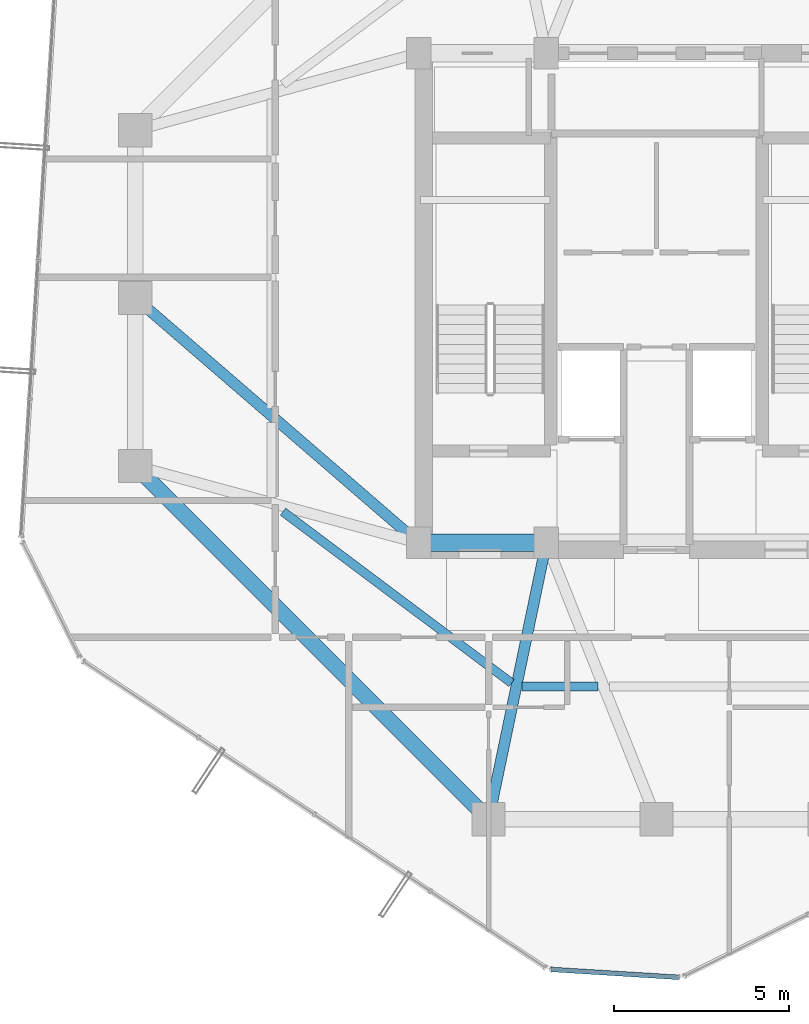
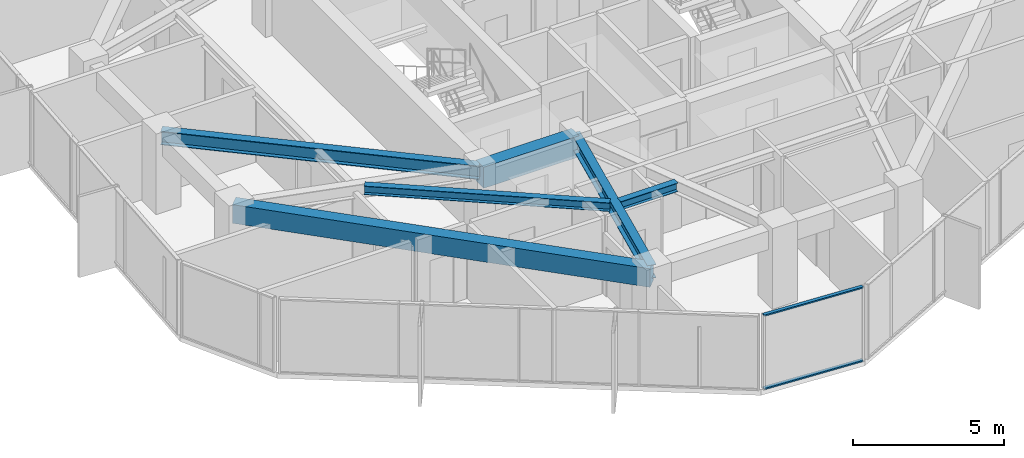
# One storey, part 5 of 29: 6 beams, 2 members, 1 element without a shape of its own.
"""IFC4 building model written with IfcOpenShell, lengths in metres."""

from ifc_helpers import new_model, si_unit, direction, frame, origin, origin_2d, place, context, subcontext, project, spatial, rectangle, hollow_rectangle, i_section, extrude, source, transform, mapped, material, layer, layer_set, material_profile, profile_set, type_object, element, aggregate, save


model = new_model("IFC4")

# Units and contexts
model_context = context("Model", 3, precision=1e-05, world=origin(), true_north=direction((0.0, 1.0)))
body_context = subcontext(model_context, "Body", "Model", "MODEL_VIEW")
ifc_project = project(units=[si_unit("LENGTHUNIT", "METRE"), si_unit("AREAUNIT", "SQUARE_METRE"), si_unit("VOLUMEUNIT", "CUBIC_METRE"), si_unit("PLANEANGLEUNIT", "RADIAN"), si_unit("MASSUNIT", "GRAM", prefix="KILO")], contexts=[model_context])

# Site, building, storey
site_placement = place(None, origin())
site = spatial("IfcSite", under=ifc_project, at=site_placement, CompositionType="ELEMENT")
building_placement = place(site_placement, origin())
building = spatial("IfcBuilding", under=site, at=building_placement, Name="Veraguas Prism Commons", CompositionType="ELEMENT")
storey_placement = place(building_placement, frame((0.0, 0.0, 218.89990234375)))
storey = spatial("IfcBuildingStorey", under=building, at=storey_placement, Name="L62", CompositionType="ELEMENT", Elevation=218.89990234375)

# Beams
ifc_material_1 = material(Name="Concrete C50/60", Category="concrete")
ifc_material_profile_1 = material_profile(ifc_material_1, rectangle(XDim=0.5, YDim=0.85009765625, at=origin_2d()), Name="RC500X850")
ifc_profile_set_1 = profile_set([ifc_material_profile_1], Name="Concrete C50/60")
beam_type_1 = type_object("IfcBeamType", Name="Core Coupling Beam RC 500x850", PredefinedType="BEAM", material=ifc_profile_set_1)
beam_1_placement = place(storey_placement, frame((17.199951171875, 17.0, 2.590087890625), z_axis=(1.0, 0.0, 0.0), x_axis=(0.0, 1.0, 0.0)))
element("IfcBeam", 1, at=beam_1_placement, inside=storey, type_object=beam_type_1, Name="Core Coupling Beam L62-CRS1", PredefinedType="BEAM", context=body_context, shape_type="SweptSolid", body=[
    extrude(rectangle(XDim=0.5, YDim=0.85009765625, at=origin_2d()), origin(), (0.0, 0.0, 1.0), 3.650146484375),
])
ifc_material_profile_2 = material_profile(ifc_material_1, rectangle(XDim=0.449951171875, YDim=0.75, at=origin_2d()), Name="RC450X750")
ifc_profile_set_2 = profile_set([ifc_material_profile_2], Name="Concrete C50/60")
beam_type_2 = type_object("IfcBeamType", Name="Perimeter Spandrel Upper RC 450x750", PredefinedType="SPANDREL", material=ifc_profile_set_2)
beam_2_placement = place(storey_placement, frame((9.10009765625, 19.199951171875, 2.64013671875), z_axis=(0.707106781187, -0.707106781187, 0.0), x_axis=(0.707106781187, 0.707106781187, 0.0)))
element("IfcBeam", 2, at=beam_2_placement, inside=storey, type_object=beam_type_2, Name="Perimeter Spandrel Beam L62-SP09", PredefinedType="SPANDREL", context=body_context, shape_type="SweptSolid", body=[
    extrude(rectangle(XDim=0.449951171875, YDim=0.75, at=origin_2d()), origin(), (0.0, 0.0, 1.0), 14.283447265625),
])
ifc_material_2 = material(Name="Steel ASTM A992 Grade 50", Category="steel")
ifc_material_profile_3 = material_profile(ifc_material_2, i_section(OverallWidth=0.25390625, OverallDepth=0.35302734375, WebThickness=0.009521484375, FlangeThickness=0.016357421875, at=origin_2d()), Name="W360X91")
ifc_profile_set_3 = profile_set([ifc_material_profile_3], Name="Steel ASTM A992 Grade 50")
beam_type_3 = type_object("IfcBeamType", Name="Upper Floor Joist W360x91", PredefinedType="JOIST", material=ifc_profile_set_3)
beam_3_placement = place(storey_placement, frame((13.320556640625, 17.89453125, 2.838623046875), z_axis=(0.800060962004, -0.599918708724, 0.0), x_axis=(0.599918708724, 0.800060962004, 0.0)))
element("IfcBeam", 3, at=beam_3_placement, inside=storey, type_object=beam_type_3, Name="Composite Floor Joist L62-JS09", PredefinedType="JOIST", context=body_context, shape_type="SweptSolid", body=[
    extrude(i_section(OverallWidth=0.25390625, OverallDepth=0.35302734375, WebThickness=0.009521484375, FlangeThickness=0.016357421875, at=origin_2d()), origin(), (0.0, 0.0, 1.0), 8.169189453125),
])
beam_4_placement = place(storey_placement, frame((20.148681640625, 12.89208984375, 2.838623046875), z_axis=(1.0, 0.0, 0.0), x_axis=(0.0, 1.0, 0.0)))
element("IfcBeam", 4, at=beam_4_placement, inside=storey, type_object=beam_type_3, Name="Composite Floor Joist L62-JS10", PredefinedType="JOIST", context=body_context, shape_type="SweptSolid", body=[
    extrude(i_section(OverallWidth=0.25390625, OverallDepth=0.35302734375, WebThickness=0.009521484375, FlangeThickness=0.016357421875, at=origin_2d()), origin(), (0.0, 0.0, 1.0), 2.174072265625),
])
ifc_material_profile_4 = material_profile(ifc_material_2, i_section(OverallWidth=0.31103515625, OverallDepth=0.5458984375, WebThickness=0.0146484375, FlangeThickness=0.023681640625, at=origin_2d()), Name="W530X165")
ifc_profile_set_4 = profile_set([ifc_material_profile_4], Name="Steel ASTM A992 Grade 50")
beam_type_4 = type_object("IfcBeamType", Name="Zone 3 Radial Girder W530x165", PredefinedType="BEAM", material=ifc_profile_set_4)
beam_5_placement = place(storey_placement, frame((9.10009765625, 24.0, 2.7421875), z_axis=(0.756607086554, -0.653869800936, 0.0), x_axis=(0.653869800936, 0.756607086554, 0.0)))
element("IfcBeam", 5, at=beam_5_placement, inside=storey, type_object=beam_type_4, Name="Radial Floor Girder L62-RD08", PredefinedType="BEAM", context=body_context, shape_type="SweptSolid", body=[
    extrude(i_section(OverallWidth=0.31103515625, OverallDepth=0.5458984375, WebThickness=0.0146484375, FlangeThickness=0.023681640625, at=origin_2d()), origin(), (0.0, 0.0, 1.0), 10.70556640625),
])
beam_6_placement = place(storey_placement, frame((19.199951171875, 9.10009765625, 2.7421875), z_axis=(0.204468851168, 0.978873070884, 0.0), x_axis=(-0.978873070884, 0.204468851168, 0.0)))
element("IfcBeam", 6, at=beam_6_placement, inside=storey, type_object=beam_type_4, Name="Radial Floor Girder L62-RD10", PredefinedType="BEAM", context=body_context, shape_type="SweptSolid", body=[
    extrude(i_section(OverallWidth=0.31103515625, OverallDepth=0.5458984375, WebThickness=0.0146484375, FlangeThickness=0.023681640625, at=origin_2d()), origin(), (0.0, 0.0, 1.0), 8.0703125),
])

# Curtain wall, members
ifc_material_3 = material(Name="Anodised aluminium EN AW-6063 T6", Category="aluminium")
ifc_layer = layer(ifc_material_3, 0.14990234375, Name="Unitised Flush Curtain Wall Zone 3", Category="aluminium")
ifc_layer_set = layer_set([ifc_layer], Name="Anodised aluminium EN AW-6063 T6")
curtain_wall_type = type_object("IfcCurtainWallType", Name="Unitised Flush Curtain Wall Zone 3", PredefinedType="NOTDEFINED", material=ifc_layer_set)
curtain_wall_placement = place(storey_placement, origin())
curtain_wall = element("IfcCurtainWall", 7, at=curtain_wall_placement, inside=storey, type_object=curtain_wall_type, Name="Chamfer Curtain Wall L62-C5", PredefinedType="NOTDEFINED")
ifc_material_profile_5 = material_profile(ifc_material_3, hollow_rectangle(XDim=0.054931640625, YDim=0.135009765625, WallThickness=0.0029296875, at=origin_2d()), Name="AL55X135X3")
ifc_profile_set_5 = profile_set([ifc_material_profile_5], Name="Anodised aluminium EN AW-6063 T6")
member_type = type_object("IfcMemberType", Name="Curtain Wall Transom Standard AL 55x135x3", PredefinedType="USERDEFINED", material=ifc_profile_set_5)
shared_shape = source(origin(), body_context, "Body", "SweptSolid", [
    extrude(hollow_rectangle(XDim=0.054931640625, YDim=0.135009765625, WallThickness=0.0029296875, at=origin_2d()), origin(), (0.0, 0.0, 1.0), 3.654541015625),
])
member_1_placement = place(storey_placement, frame((20.98193359375, 4.806640625, 0.027587890625), z_axis=(0.998092919541, -0.06172944161, 0.0), x_axis=(0.0, 0.0, 1.0)))
member_1 = element("IfcMember", 8, at=member_1_placement, type_object=member_type, Name="CW-Z3 Transom 1", ObjectType="TRANSOM", PredefinedType="USERDEFINED", context=body_context, shape_type="MappedRepresentation", body=[
    mapped(shared_shape, transform((0.0, 0.0, 0.0), scale=1.0)),
])
member_2_placement = place(storey_placement, frame((20.98193359375, 4.806640625, 2.987548828125), z_axis=(0.998092919541, -0.06172944161, 0.0), x_axis=(0.0, 0.0, 1.0)))
member_2 = element("IfcMember", 9, at=member_2_placement, type_object=member_type, Name="CW-Z3 Transom 2", ObjectType="TRANSOM", PredefinedType="USERDEFINED", context=body_context, shape_type="MappedRepresentation", body=[
    mapped(shared_shape, transform((0.0, 0.0, 0.0), scale=1.0)),
])
aggregate(curtain_wall, [member_1, member_2])

save(model, "model.ifc")
